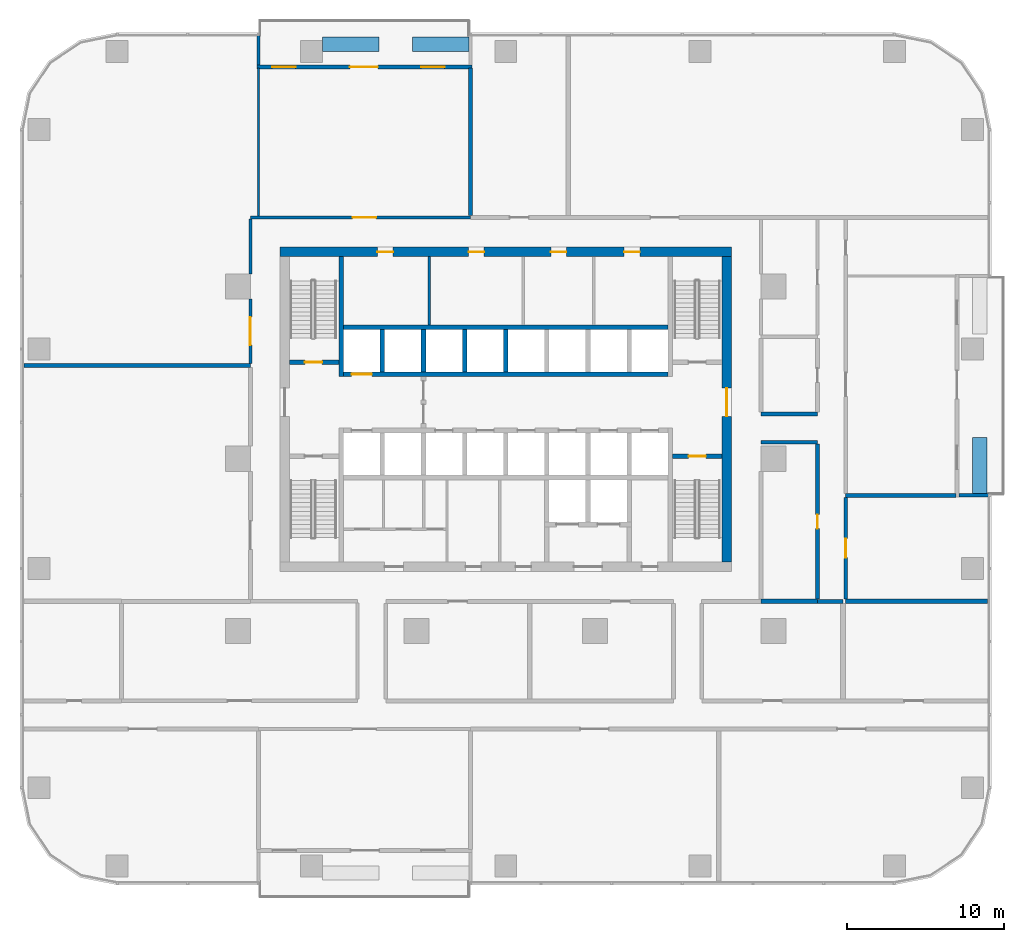
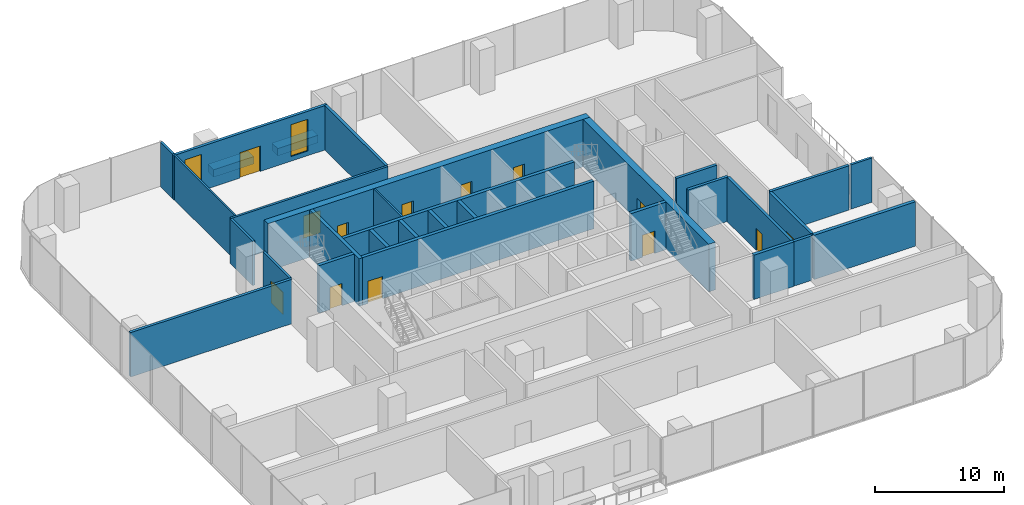
# One storey, part 9 of 15: 32 walls, 13 doors, 2 windows, 15 openings.
"""IFC4 building model written with IfcOpenShell, lengths in metres."""

import ifcopenshell
import ifcopenshell.guid

model = None  # the IFC model being written
_history = None  # IfcOwnerHistory: only IFC2X3 demands one
_inside = {}  # id of a spatial element -> (the spatial element, [elements in it])
_under = {}  # id of a project, library or spatial element -> (it, [spatial elements below it])
_declared = {}  # id of a project -> (the project, [libraries it declares])
_typed = {}  # id of a type object -> (the type object, [elements of that type])
_made_of = {}  # id of a material, layer set ... -> (it, [elements and type objects made of it])


def new_model(schema):
    """Start an empty IFC model of exactly this schema.

    Asked for "IFC4X3", IfcOpenShell would pick the latest addendum, in which some entities
    have other attributes; the version numbers below select the first issue.
    IFC2X3 requires an IfcOwnerHistory on every rooted entity: one is made here for all.
    """
    global model, _history
    if schema == "IFC4X3":
        model = ifcopenshell.file(schema_version=(4, 3, 0, 0))
    else:
        model = ifcopenshell.file(schema=schema)
    _inside.clear()
    _under.clear()
    _declared.clear()
    _typed.clear()
    _made_of.clear()
    _history = None
    if model.schema == "IFC2X3":
        org = make("IfcOrganization", Name="unknown")
        user = make(
            "IfcPersonAndOrganization",
            ThePerson=make("IfcPerson", FamilyName="unknown"),
            TheOrganization=org,
        )
        app = make(
            "IfcApplication",
            ApplicationDeveloper=org,
            Version="unknown",
            ApplicationFullName="unknown",
            ApplicationIdentifier="unknown",
        )
        _history = make(
            "IfcOwnerHistory",
            OwningUser=user,
            OwningApplication=app,
            ChangeAction="ADDED",
            CreationDate=0,
        )
    return model


def make(cls, **values):
    """One entity of the class cls with the attributes given. An attribute that is None is left unset."""
    return model.create_entity(
        cls, **{name: value for name, value in values.items() if value is not None}
    )


def rooted(cls, **values):
    """An entity with a GlobalId (a new one), such as an element, a storey or a relation."""
    return make(cls, GlobalId=ifcopenshell.guid.new(), OwnerHistory=_history, **values)


def si_unit(unit_type, name, prefix=None):
    """IfcSIUnit, for example si_unit("LENGTHUNIT", "METRE", prefix="MILLI")."""
    return make("IfcSIUnit", UnitType=unit_type, Prefix=prefix, Name=name)


def assignment(units):
    """IfcUnitAssignment: the units of a project."""
    return None if units is None else make("IfcUnitAssignment", Units=units)


def point(xyz):
    """IfcCartesianPoint."""
    return None if xyz is None else make("IfcCartesianPoint", Coordinates=xyz)


def direction(xyz):
    """IfcDirection."""
    return None if xyz is None else make("IfcDirection", DirectionRatios=xyz)


def frame(location, z_axis=None, x_axis=None):
    """IfcAxis2Placement3D, a coordinate frame: its origin and axes. An axis left out is left unset."""
    return make(
        "IfcAxis2Placement3D",
        Location=point(location),
        Axis=direction(z_axis),
        RefDirection=direction(x_axis),
    )


def frame_2d(location, x_axis=None):
    """IfcAxis2Placement2D, a coordinate frame in the plane: its origin and x axis."""
    return make(
        "IfcAxis2Placement2D", Location=point(location), RefDirection=direction(x_axis)
    )


def origin():
    """The frame at (0, 0, 0) with its axes left unset."""
    return frame((0.0, 0.0, 0.0))


def place(relative_to, where):
    """IfcLocalPlacement: puts the frame where relative to a parent placement (None: the world)."""
    return make(
        "IfcLocalPlacement", PlacementRelTo=relative_to, RelativePlacement=where
    )


def context(
    kind, dimensions, precision=None, world=None, true_north=None, identifier=None
):
    """IfcGeometricRepresentationContext, for example the 3D "Model" context."""
    return make(
        "IfcGeometricRepresentationContext",
        ContextIdentifier=identifier,
        ContextType=kind,
        CoordinateSpaceDimension=dimensions,
        Precision=precision,
        WorldCoordinateSystem=world,
        TrueNorth=true_north,
    )


def subcontext(parent, identifier, kind, view, scale=None):
    """IfcGeometricRepresentationSubContext, for example "Body" below "Model"."""
    return make(
        "IfcGeometricRepresentationSubContext",
        ContextIdentifier=identifier,
        ContextType=kind,
        ParentContext=parent,
        TargetScale=scale,
        TargetView=view,
    )


def project(units=None, contexts=None):
    """IfcProject with its units and contexts."""
    return rooted(
        "IfcProject",
        Name="project",
        RepresentationContexts=contexts,
        UnitsInContext=assignment(units),
    )


def spatial(cls, under=None, at=None, **own):
    """A site, building, storey or space (cls), placed at a placement, below another one or the project."""
    s = rooted(cls, ObjectPlacement=at, **own)
    if under is not None:
        _under.setdefault(under.id(), (under, []))[1].append(s)
    return s


def profile(cls, at=None, kind="AREA", **sizes):
    """A parametric profile (cls). Its sizes go by their IFC names, for example OverallWidth=200.0."""
    return make(cls, ProfileType=kind, Position=at, **sizes)


def rectangle(**sizes):
    """IfcRectangleProfileDef."""
    return profile("IfcRectangleProfileDef", **sizes)


def extrude(swept, where, along, depth):
    """IfcExtrudedAreaSolid: the profile swept, set in the frame where, extruded along a direction by depth."""
    return make(
        "IfcExtrudedAreaSolid",
        SweptArea=swept,
        Position=where,
        ExtrudedDirection=direction(along),
        Depth=depth,
    )


def shape(context_of_items, identifier, shape_type, items):
    """IfcShapeRepresentation: the items that make up one representation, for example the "Body"."""
    return make(
        "IfcShapeRepresentation",
        ContextOfItems=context_of_items,
        RepresentationIdentifier=identifier,
        RepresentationType=shape_type,
        Items=items,
    )


def material(Name=None, Category=None):
    """IfcMaterial."""
    return make("IfcMaterial", Name=Name, Category=Category)


def layer(
    of_material, thickness, ventilated=None, Name=None, Category=None, Priority=None
):
    """IfcMaterialLayer: one layer of a wall or slab, of a material (None: an air gap)."""
    return make(
        "IfcMaterialLayer",
        Material=of_material,
        LayerThickness=thickness,
        IsVentilated=ventilated,
        Name=Name,
        Category=Category,
        Priority=Priority,
    )


def layer_set(layers, Name=None):
    """IfcMaterialLayerSet."""
    return make("IfcMaterialLayerSet", MaterialLayers=layers, LayerSetName=Name)


def made_of(thing, what):
    """Note that an element or type object is made of a material, layer set ...; save() writes the relation."""
    if what is not None:
        _made_of.setdefault(what.id(), (what, []))[1].append(thing)
    return thing


def type_object(cls, material=None, **own):
    """A type object (cls), such as IfcWallType, which elements share."""
    return made_of(rooted(cls, **own), material)


def element(
    cls,
    number,
    at=None,
    inside=None,
    cuts=None,
    type_object=None,
    material=None,
    context=None,
    identifier="Body",
    shape_type=None,
    held_by="IfcProductDefinitionShape",
    body=None,
    shapes=None,
    **own,
):
    """One element of the class cls, such as IfcWall. Its Tag is "e" and its number.

    at: its placement. inside: the storey or other place that contains it. cuts: it is an
    opening in that element (IfcRelVoidsElement). A single representation is given by context,
    identifier, shape_type and body (its items); several are given by shapes. held_by: the class
    of the entity that holds the representations. save() writes the other relations.
    """
    e = rooted(cls, Tag="e%d" % number, ObjectPlacement=at, **own)
    if body is not None:
        shapes = [shape(context, identifier, shape_type, body)]
    if shapes is not None:
        e.Representation = make(held_by, Representations=shapes)
    if inside is not None:
        _inside.setdefault(inside.id(), (inside, []))[1].append(e)
    if cuts is not None:
        rooted(
            "IfcRelVoidsElement", RelatingBuildingElement=cuts, RelatedOpeningElement=e
        )
    if type_object is not None:
        _typed.setdefault(type_object.id(), (type_object, []))[1].append(e)
    return made_of(e, material)


def fill(opening, filler):
    """IfcRelFillsElement: the door or window that sits in an opening."""
    return rooted(
        "IfcRelFillsElement",
        RelatingOpeningElement=opening,
        RelatedBuildingElement=filler,
    )


def aggregate(whole, parts):
    """IfcRelAggregates: a whole, such as a stair, and the parts it consists of."""
    return rooted("IfcRelAggregates", RelatingObject=whole, RelatedObjects=parts)


def save(model, path):
    """Write the relations noted so far, then the file.

    IfcRelAggregates (storeys below a building ...), IfcRelContainedInSpatialStructure (elements
    in a storey), IfcRelDefinesByType, IfcRelAssociatesMaterial and IfcRelDeclares: one each for
    every whole, place, type object, material and project.
    """
    for whole, parts in _under.values():
        aggregate(whole, parts)
    for where, things in _inside.values():
        rooted(
            "IfcRelContainedInSpatialStructure",
            RelatedElements=things,
            RelatingStructure=where,
        )
    for kind, things in _typed.values():
        rooted("IfcRelDefinesByType", RelatedObjects=things, RelatingType=kind)
    for what, things in _made_of.values():
        rooted("IfcRelAssociatesMaterial", RelatedObjects=things, RelatingMaterial=what)
    for by, libraries in _declared.values():
        rooted("IfcRelDeclares", RelatingContext=by, RelatedDefinitions=libraries)
    model.write(path)


model = new_model("IFC4")

# Units and contexts
model_context = context("Model", 3, precision=1e-05, world=origin(), true_north=direction((0.0, 1.0)))
body_context = subcontext(model_context, "Body", "Model", "MODEL_VIEW")
ifc_project = project(units=[si_unit("LENGTHUNIT", "METRE"), si_unit("AREAUNIT", "SQUARE_METRE"), si_unit("VOLUMEUNIT", "CUBIC_METRE"), si_unit("PLANEANGLEUNIT", "RADIAN"), si_unit("MASSUNIT", "GRAM", prefix="KILO")], contexts=[model_context])

# Site, building, storey
site_placement = place(None, origin())
site = spatial("IfcSite", under=ifc_project, at=site_placement, CompositionType="ELEMENT")
building_placement = place(site_placement, origin())
building = spatial("IfcBuilding", under=site, at=building_placement, Name="Mopane Tessera Tower", CompositionType="ELEMENT")
storey_placement = place(building_placement, frame((0.0, 0.0, 83.800048828125)))
storey = spatial("IfcBuildingStorey", under=building, at=storey_placement, Name="L16", CompositionType="ELEMENT", Elevation=83.800048828125)

# Wall
ifc_material_1 = material(Name="Fire-rated gypsum board partition")
ifc_layer_1 = layer(ifc_material_1, 0.14990234375)
ifc_layer_set_1 = layer_set([ifc_layer_1], Name="Fire-rated gypsum board partition")
wall_type_1 = type_object("IfcWallType", Name="Core room partition 150 mm", PredefinedType="PARTITIONING", material=ifc_layer_set_1)
wall_1_placement = place(storey_placement, frame((-4.875, 8.550048828125, 0.0), z_axis=(0.0, 0.0, 1.0), x_axis=(0.0, 1.0, 0.0)))
element("IfcWall", 1, at=wall_1_placement, inside=storey, type_object=wall_type_1, Name="L16 Room partition", PredefinedType="PARTITIONING", context=body_context, shape_type="SweptSolid", body=[
    extrude(rectangle(XDim=4.349853515625, YDim=0.14990234375, at=frame_2d((2.1748046875, 0.0))), origin(), (0.0, 0.0, 1.0), 4.5),
])

# Wall, openings, doors
ifc_material_2 = material(Name="Concrete C70/85", Category="concrete")
ifc_layer_2 = layer(ifc_material_2, 0.60009765625)
ifc_layer_set_2 = layer_set([ifc_layer_2], Name="Concrete C70/85")
wall_type_2 = type_object("IfcWallType", Name="Core shear wall 600 mm", PredefinedType="SHEAR", material=ifc_layer_set_2)
wall_2_placement = place(storey_placement, frame((-14.39990234375, 13.199951171875, 0.0), z_axis=(0.0, 0.0, 1.0), x_axis=(1.0, 0.0, 0.0)))
wall_2 = element("IfcWall", 2, at=wall_2_placement, inside=storey, type_object=wall_type_2, Name="L16 Core wall north", PredefinedType="SHEAR", context=body_context, shape_type="SweptSolid", body=[
    extrude(rectangle(XDim=28.7998046875, YDim=0.60009765625, at=frame_2d((14.39990234375, 0.0))), origin(), (0.0, 0.0, 1.0), 4.5),
])
opening_1_placement = place(wall_2_placement, frame((6.21240234375, 0.0, 0.0)))
opening_1 = element("IfcOpeningElement", 3, at=opening_1_placement, cuts=wall_2, Name="Opening RD1", PredefinedType="OPENING", context=body_context, shape_type="SweptSolid", body=[
    extrude(rectangle(XDim=1.0, YDim=2.10009765625, at=frame_2d((0.5, 1.050048828125))), frame((0.0, 0.31201171875, 0.0), z_axis=(0.0, -1.0, 0.0), x_axis=(1.0, 0.0, 0.0)), (0.0, 0.0, 1.0), 0.6240234375),
])
opening_2_placement = place(wall_2_placement, frame((12.02490234375, 0.0, 0.0)))
opening_2 = element("IfcOpeningElement", 4, at=opening_2_placement, cuts=wall_2, Name="Opening RD1", PredefinedType="OPENING", context=body_context, shape_type="SweptSolid", body=[
    extrude(rectangle(XDim=1.0, YDim=2.10009765625, at=frame_2d((0.5, 1.050048828125))), frame((0.0, 0.31201171875, 0.0), z_axis=(0.0, -1.0, 0.0), x_axis=(1.0, 0.0, 0.0)), (0.0, 0.0, 1.0), 0.6240234375),
])
opening_3_placement = place(wall_2_placement, frame((17.27490234375, 0.0, 0.0)))
opening_3 = element("IfcOpeningElement", 5, at=opening_3_placement, cuts=wall_2, Name="Opening RD1", PredefinedType="OPENING", context=body_context, shape_type="SweptSolid", body=[
    extrude(rectangle(XDim=1.0, YDim=2.10009765625, at=frame_2d((0.5, 1.050048828125))), frame((0.0, 0.31201171875, 0.0), z_axis=(0.0, -1.0, 0.0), x_axis=(1.0, 0.0, 0.0)), (0.0, 0.0, 1.0), 0.6240234375),
])
opening_4_placement = place(wall_2_placement, frame((21.96240234375, 0.0, 0.0)))
opening_4 = element("IfcOpeningElement", 6, at=opening_4_placement, cuts=wall_2, Name="Opening RD1", PredefinedType="OPENING", context=body_context, shape_type="SweptSolid", body=[
    extrude(rectangle(XDim=1.0, YDim=2.10009765625, at=frame_2d((0.5, 1.050048828125))), frame((0.0, 0.31201171875, 0.0), z_axis=(0.0, -1.0, 0.0), x_axis=(1.0, 0.0, 0.0)), (0.0, 0.0, 1.0), 0.6240234375),
])
ifc_material_3 = material(Name="Timber door", Category="wood")
door_type_1 = type_object("IfcDoorType", Name="Core room door 1000 x 2100", OperationType="SINGLE_SWING_LEFT", PredefinedType="DOOR", material=ifc_material_3)
door_1_placement = place(opening_1_placement, origin())
door_1 = element("IfcDoor", 7, at=door_1_placement, inside=storey, type_object=door_type_1, Name="L16 Room door", OperationType="SINGLE_SWING_LEFT", OverallHeight=2.10009765625, OverallWidth=1.0, PredefinedType="DOOR", context=body_context, shape_type="SweptSolid", body=[
    extrude(rectangle(XDim=1.0, YDim=2.10009765625, at=frame_2d((0.5, 1.050048828125))), frame((0.0, 0.02490234375, 0.0), z_axis=(0.0, -1.0, 0.0), x_axis=(1.0, 0.0, 0.0)), (0.0, 0.0, 1.0), 0.050048828125),
])
fill(opening_1, door_1)
door_2_placement = place(opening_2_placement, origin())
door_2 = element("IfcDoor", 8, at=door_2_placement, inside=storey, type_object=door_type_1, Name="L16 Room door", OperationType="SINGLE_SWING_LEFT", OverallHeight=2.10009765625, OverallWidth=1.0, PredefinedType="DOOR", context=body_context, shape_type="SweptSolid", body=[
    extrude(rectangle(XDim=1.0, YDim=2.10009765625, at=frame_2d((0.5, 1.050048828125))), frame((0.0, 0.02490234375, 0.0), z_axis=(0.0, -1.0, 0.0), x_axis=(1.0, 0.0, 0.0)), (0.0, 0.0, 1.0), 0.050048828125),
])
fill(opening_2, door_2)
door_3_placement = place(opening_3_placement, origin())
door_3 = element("IfcDoor", 9, at=door_3_placement, inside=storey, type_object=door_type_1, Name="L16 Room door", OperationType="SINGLE_SWING_LEFT", OverallHeight=2.10009765625, OverallWidth=1.0, PredefinedType="DOOR", context=body_context, shape_type="SweptSolid", body=[
    extrude(rectangle(XDim=1.0, YDim=2.10009765625, at=frame_2d((0.5, 1.050048828125))), frame((0.0, 0.02490234375, 0.0), z_axis=(0.0, -1.0, 0.0), x_axis=(1.0, 0.0, 0.0)), (0.0, 0.0, 1.0), 0.050048828125),
])
fill(opening_3, door_3)
door_4_placement = place(opening_4_placement, origin())
door_4 = element("IfcDoor", 10, at=door_4_placement, inside=storey, type_object=door_type_1, Name="L16 Room door", OperationType="SINGLE_SWING_LEFT", OverallHeight=2.10009765625, OverallWidth=1.0, PredefinedType="DOOR", context=body_context, shape_type="SweptSolid", body=[
    extrude(rectangle(XDim=1.0, YDim=2.10009765625, at=frame_2d((0.5, 1.050048828125))), frame((0.0, 0.02490234375, 0.0), z_axis=(0.0, -1.0, 0.0), x_axis=(1.0, 0.0, 0.0)), (0.0, 0.0, 1.0), 0.050048828125),
])
fill(opening_4, door_4)

# Wall, opening, door
wall_3_placement = place(storey_placement, frame((14.10009765625, -6.60009765625, 0.0), z_axis=(0.0, 0.0, 1.0), x_axis=(0.0, 1.0, 0.0)))
wall_3 = element("IfcWall", 11, at=wall_3_placement, inside=storey, type_object=wall_type_2, Name="L16 Core wall east", PredefinedType="SHEAR", context=body_context, shape_type="SweptSolid", body=[
    extrude(rectangle(XDim=19.5, YDim=0.60009765625, at=frame_2d((9.75, 0.0))), origin(), (0.0, 0.0, 1.0), 4.5),
])
opening_5_placement = place(wall_3_placement, frame((9.300048828125, 0.0, 0.0)))
opening_5 = element("IfcOpeningElement", 12, at=opening_5_placement, cuts=wall_3, Name="Opening SD2", PredefinedType="OPENING", context=body_context, shape_type="SweptSolid", body=[
    extrude(rectangle(XDim=1.800048828125, YDim=2.10009765625, at=frame_2d((0.89990234375, 1.050048828125))), frame((0.0, 0.31201171875, 0.0), z_axis=(0.0, -1.0, 0.0), x_axis=(1.0, 0.0, 0.0)), (0.0, 0.0, 1.0), 0.6240234375),
])
ifc_material_4 = material(Name="Steel fire door", Category="steel")
door_type_2 = type_object("IfcDoorType", Name="Core entrance double door 1800 x 2100", OperationType="DOUBLE_DOOR_SINGLE_SWING", PredefinedType="DOOR", material=ifc_material_4)
door_5_placement = place(opening_5_placement, origin())
door_5 = element("IfcDoor", 13, at=door_5_placement, inside=storey, type_object=door_type_2, Name="L16 Core entrance door east", OperationType="DOUBLE_DOOR_SINGLE_SWING", OverallHeight=2.10009765625, OverallWidth=1.800048828125, PredefinedType="DOOR", context=body_context, shape_type="SweptSolid", body=[
    extrude(rectangle(XDim=1.800048828125, YDim=2.10009765625, at=frame_2d((0.89990234375, 1.050048828125))), frame((0.0, 0.02490234375, 0.0), z_axis=(0.0, -1.0, 0.0), x_axis=(1.0, 0.0, 0.0)), (0.0, 0.0, 1.0), 0.050048828125),
])
fill(opening_5, door_5)

# Wall
ifc_material_5 = material(Name="Concrete C60/75", Category="concrete")
ifc_layer_3 = layer(ifc_material_5, 0.300048828125)
ifc_layer_set_3 = layer_set([ifc_layer_3], Name="Concrete C60/75")
wall_type_3 = type_object("IfcWallType", Name="Core spine wall 300 mm", PredefinedType="SHEAR", material=ifc_layer_set_3)
wall_4_placement = place(storey_placement, frame((-10.5, 5.25, 0.0), z_axis=(0.0, 0.0, 1.0), x_axis=(0.0, 1.0, 0.0)))
element("IfcWall", 14, at=wall_4_placement, inside=storey, type_object=wall_type_3, Name="L16 Core spine wall", PredefinedType="SHEAR", context=body_context, shape_type="SweptSolid", body=[
    extrude(rectangle(XDim=7.64990234375, YDim=0.300048828125, at=frame_2d((3.824951171875, 0.0))), origin(), (0.0, 0.0, 1.0), 4.5),
])

# Wall, opening, door
ifc_material_6 = material(Name="Gypsum board on steel studs, two layers each face, mineral wool infill", Category="steel")
ifc_layer_4 = layer(ifc_material_6, 0.199951171875)
ifc_layer_set_4 = layer_set([ifc_layer_4], Name="Gypsum board on steel studs, two layers each face, mineral wool infill")
wall_type_4 = type_object("IfcWallType", Name="Gypsum board corridor wall 200, rated EI 60", PredefinedType="PARTITIONING", material=ifc_layer_set_4)
wall_5_placement = place(storey_placement, frame((-16.300048828125, 15.39990234375, 0.0), z_axis=(0.0, 0.0, 1.0), x_axis=(1.0, 0.0, 0.0)))
wall_5 = element("IfcWall", 15, at=wall_5_placement, inside=storey, type_object=wall_type_4, Name="Partition L16:021", PredefinedType="PARTITIONING", context=body_context, shape_type="SweptSolid", body=[
    extrude(rectangle(XDim=14.045166015625, YDim=0.199951171875, at=frame_2d((7.0224609375, 0.0))), origin(), (0.0, 0.0, 1.0), 4.199951171875),
])
opening_6_placement = place(wall_5_placement, frame((6.532470703125, 0.0, 0.0)))
opening_6 = element("IfcOpeningElement", 16, at=opening_6_placement, cuts=wall_5, Name="Opening L16-19", PredefinedType="OPENING", context=body_context, shape_type="SweptSolid", body=[
    extrude(rectangle(XDim=1.5, YDim=2.10009765625, at=frame_2d((0.75, 1.050048828125))), frame((0.0, 0.112060546875, 0.0), z_axis=(0.0, -1.0, 0.0), x_axis=(1.0, 0.0, 0.0)), (0.0, 0.0, 1.0), 0.223876953125),
])
ifc_material_7 = material(Name="Timber veneered steel-framed fire door", Category="steel")
door_type_3 = type_object("IfcDoorType", Name="Fire door pair FD60 1500 x 2100", OperationType="DOUBLE_DOOR_SINGLE_SWING", PredefinedType="DOOR", material=ifc_material_7)
door_6_placement = place(opening_6_placement, origin())
door_6 = element("IfcDoor", 17, at=door_6_placement, inside=storey, type_object=door_type_3, Name="Door L16-19", ObjectType="D17A", OperationType="DOUBLE_DOOR_SINGLE_SWING", OverallHeight=2.10009765625, OverallWidth=1.5, PredefinedType="DOOR", context=body_context, shape_type="SweptSolid", body=[
    extrude(rectangle(XDim=1.5, YDim=2.10009765625, at=frame_2d((0.75, 1.050048828125))), frame((0.0, 0.02490234375, 0.0), z_axis=(0.0, -1.0, 0.0), x_axis=(1.0, 0.0, 0.0)), (0.0, 0.0, 1.0), 0.050048828125),
])
fill(opening_6, door_6)

wall_6_placement = place(storey_placement, frame((-16.300048828125, 6.0849609375, 0.0), z_axis=(0.0, 0.0, 1.0), x_axis=(0.0, 1.0, 0.0)))
wall_6 = element("IfcWall", 18, at=wall_6_placement, inside=storey, type_object=wall_type_4, Name="Partition L16:024", PredefinedType="PARTITIONING", context=body_context, shape_type="SweptSolid", body=[
    extrude(rectangle(XDim=4.114990234375, YDim=0.199951171875, at=frame_2d((2.0576171875, 0.0))), origin(), (0.0, 0.0, 1.0), 4.199951171875),
])
opening_7_placement = place(wall_6_placement, frame((1.157470703125, 0.0, 0.0)))
opening_7 = element("IfcOpeningElement", 19, at=opening_7_placement, cuts=wall_6, Name="Opening L16-03", PredefinedType="OPENING", context=body_context, shape_type="SweptSolid", body=[
    extrude(rectangle(XDim=1.800048828125, YDim=2.10009765625, at=frame_2d((0.89990234375, 1.050048828125))), frame((0.0, 0.112060546875, 0.0), z_axis=(0.0, -1.0, 0.0), x_axis=(1.0, 0.0, 0.0)), (0.0, 0.0, 1.0), 0.223876953125),
])
ifc_material_8 = material(Name="Timber veneered steel-framed fire door", Category="steel")
door_type_4 = type_object("IfcDoorType", Name="Fire door pair FD60 1800 x 2100", OperationType="DOUBLE_DOOR_SINGLE_SWING", PredefinedType="DOOR", material=ifc_material_8)
door_7_placement = place(opening_7_placement, origin())
door_7 = element("IfcDoor", 20, at=door_7_placement, inside=storey, type_object=door_type_4, Name="Door L16-03", ObjectType="D20A", OperationType="DOUBLE_DOOR_SINGLE_SWING", OverallHeight=2.10009765625, OverallWidth=1.800048828125, PredefinedType="DOOR", context=body_context, shape_type="SweptSolid", body=[
    extrude(rectangle(XDim=1.800048828125, YDim=2.10009765625, at=frame_2d((0.89990234375, 1.050048828125))), frame((0.0, 0.02490234375, 0.0), z_axis=(0.0, -1.0, 0.0), x_axis=(1.0, 0.0, 0.0)), (0.0, 0.0, 1.0), 0.050048828125),
])
fill(opening_7, door_7)

# Walls
wall_7_placement = place(storey_placement, frame((-16.300048828125, 11.800048828125, 0.0), z_axis=(0.0, 0.0, 1.0), x_axis=(0.0, 1.0, 0.0)))
element("IfcWall", 21, at=wall_7_placement, inside=storey, type_object=wall_type_4, Name="Partition L16:025", PredefinedType="PARTITIONING", context=body_context, shape_type="SweptSolid", body=[
    extrude(rectangle(XDim=3.5, YDim=0.199951171875, at=frame_2d((1.75, 0.0))), origin(), (0.0, 0.0, 1.0), 4.199951171875),
])
ifc_material_9 = material(Name="Gypsum board on steel studs, mineral wool infill", Category="steel")
ifc_layer_5 = layer(ifc_material_9, 0.14990234375)
ifc_layer_set_5 = layer_set([ifc_layer_5], Name="Gypsum board on steel studs, mineral wool infill")
wall_type_5 = type_object("IfcWallType", Name="Gypsum board partition 150, rated EI 60", PredefinedType="PARTITIONING", material=ifc_layer_set_5)
wall_8_placement = place(storey_placement, frame((-15.780029296875, 15.5, 0.0), z_axis=(0.0, 0.0, 1.0), x_axis=(0.0, 1.0, 0.0)))
element("IfcWall", 22, at=wall_8_placement, inside=storey, type_object=wall_type_5, Name="Partition L16:028", PredefinedType="PARTITIONING", context=body_context, shape_type="SweptSolid", body=[
    extrude(rectangle(XDim=9.449951171875, YDim=0.14990234375, at=frame_2d((4.72509765625, 0.0))), origin(), (0.0, 0.0, 1.0), 4.199951171875),
])

# Wall, opening, door
ifc_material_10 = material(Name="Concrete C50/60", Category="concrete")
ifc_layer_6 = layer(ifc_material_10, 0.300048828125)
ifc_layer_set_6 = layer_set([ifc_layer_6], Name="Concrete C50/60")
wall_type_6 = type_object("IfcWallType", Name="Lift and stair shaft wall 300 mm", PredefinedType="SOLIDWALL", material=ifc_layer_set_6)
wall_9_placement = place(storey_placement, frame((-13.800048828125, 6.14990234375, 0.0), z_axis=(0.0, 0.0, 1.0), x_axis=(1.0, 0.0, 0.0)))
wall_9 = element("IfcWall", 23, at=wall_9_placement, inside=storey, type_object=wall_type_6, Name="L16 Stair enclosure wall", PredefinedType="SOLIDWALL", context=body_context, shape_type="SweptSolid", body=[
    extrude(rectangle(XDim=3.150146484375, YDim=0.300048828125, at=frame_2d((1.5751953125, 0.0))), origin(), (0.0, 0.0, 1.0), 4.5),
])
opening_8_placement = place(wall_9_placement, frame((0.97509765625, 0.0, 0.0)))
opening_8 = element("IfcOpeningElement", 24, at=opening_8_placement, cuts=wall_9, Name="Opening SD1", PredefinedType="OPENING", context=body_context, shape_type="SweptSolid", body=[
    extrude(rectangle(XDim=1.10009765625, YDim=2.10009765625, at=frame_2d((0.550048828125, 1.050048828125))), frame((0.0, 0.162109375, 0.0), z_axis=(0.0, -1.0, 0.0), x_axis=(1.0, 0.0, 0.0)), (0.0, 0.0, 1.0), 0.323974609375),
])
ifc_material_11 = material(Name="Steel fire door", Category="steel")
door_type_5 = type_object("IfcDoorType", Name="Stair fire door 1100 x 2100", OperationType="SINGLE_SWING_LEFT", PredefinedType="DOOR", material=ifc_material_11)
door_8_placement = place(opening_8_placement, origin())
door_8 = element("IfcDoor", 25, at=door_8_placement, inside=storey, type_object=door_type_5, Name="L16 Stair door ST2", OperationType="SINGLE_SWING_LEFT", OverallHeight=2.10009765625, OverallWidth=1.10009765625, PredefinedType="DOOR", context=body_context, shape_type="SweptSolid", body=[
    extrude(rectangle(XDim=1.10009765625, YDim=2.10009765625, at=frame_2d((0.550048828125, 1.050048828125))), frame((0.0, 0.02490234375, 0.0), z_axis=(0.0, -1.0, 0.0), x_axis=(1.0, 0.0, 0.0)), (0.0, 0.0, 1.0), 0.050048828125),
])
fill(opening_8, door_8)

wall_10_placement = place(storey_placement, frame((10.64990234375, 0.14990234375, 0.0), z_axis=(0.0, 0.0, 1.0), x_axis=(1.0, 0.0, 0.0)))
wall_10 = element("IfcWall", 26, at=wall_10_placement, inside=storey, type_object=wall_type_6, Name="L16 Stair enclosure wall", PredefinedType="SOLIDWALL", context=body_context, shape_type="SweptSolid", body=[
    extrude(rectangle(XDim=3.150146484375, YDim=0.300048828125, at=frame_2d((1.5751953125, 0.0))), origin(), (0.0, 0.0, 1.0), 4.5),
])
opening_9_placement = place(wall_10_placement, frame((1.02490234375, 0.0, 0.0)))
opening_9 = element("IfcOpeningElement", 27, at=opening_9_placement, cuts=wall_10, Name="Opening SD1", PredefinedType="OPENING", context=body_context, shape_type="SweptSolid", body=[
    extrude(rectangle(XDim=1.10009765625, YDim=2.10009765625, at=frame_2d((0.550048828125, 1.050048828125))), frame((0.0, 0.162109375, 0.0), z_axis=(0.0, -1.0, 0.0), x_axis=(1.0, 0.0, 0.0)), (0.0, 0.0, 1.0), 0.323974609375),
])
door_9_placement = place(opening_9_placement, origin())
door_9 = element("IfcDoor", 28, at=door_9_placement, inside=storey, type_object=door_type_5, Name="L16 Stair door ST3", OperationType="SINGLE_SWING_RIGHT", OverallHeight=2.10009765625, OverallWidth=1.10009765625, PredefinedType="DOOR", context=body_context, shape_type="SweptSolid", body=[
    extrude(rectangle(XDim=1.10009765625, YDim=2.10009765625, at=frame_2d((0.550048828125, 1.050048828125))), frame((0.0, 0.02490234375, 0.0), z_axis=(0.0, -1.0, 0.0), x_axis=(1.0, 0.0, 0.0)), (0.0, 0.0, 1.0), 0.050048828125),
])
fill(opening_9, door_9)

wall_11_placement = place(storey_placement, frame((-10.35009765625, 5.39990234375, 0.0), z_axis=(0.0, 0.0, 1.0), x_axis=(1.0, 0.0, 0.0)))
wall_11 = element("IfcWall", 29, at=wall_11_placement, inside=storey, type_object=wall_type_6, Name="L16 Lift shaft front wall", PredefinedType="SOLIDWALL", context=body_context, shape_type="SweptSolid", body=[
    extrude(rectangle(XDim=20.7001953125, YDim=0.300048828125, at=frame_2d((10.35009765625, 0.0))), origin(), (0.0, 0.0, 1.0), 4.5),
])
opening_10_placement = place(wall_11_placement, frame((0.512451171875, 0.0, 0.0)))
opening_10 = element("IfcOpeningElement", 30, at=opening_10_placement, cuts=wall_11, Name="Opening LD2", PredefinedType="OPENING", context=body_context, shape_type="SweptSolid", body=[
    extrude(rectangle(XDim=1.300048828125, YDim=2.10009765625, at=frame_2d((0.64990234375, 1.050048828125))), frame((0.0, 0.162109375, 0.0), z_axis=(0.0, -1.0, 0.0), x_axis=(1.0, 0.0, 0.0)), (0.0, 0.0, 1.0), 0.323974609375),
])
ifc_material_12 = material(Name="Stainless steel sliding door", Category="steel")
door_type_6 = type_object("IfcDoorType", Name="Fire-fighting lift landing door 1300 x 2100", OperationType="DOUBLE_DOOR_SLIDING", PredefinedType="DOOR", material=ifc_material_12)
door_10_placement = place(opening_10_placement, origin())
door_10 = element("IfcDoor", 31, at=door_10_placement, inside=storey, type_object=door_type_6, Name="L16 Lift landing door FF2", OperationType="DOUBLE_DOOR_SLIDING", OverallHeight=2.10009765625, OverallWidth=1.300048828125, PredefinedType="DOOR", context=body_context, shape_type="SweptSolid", body=[
    extrude(rectangle(XDim=1.300048828125, YDim=2.10009765625, at=frame_2d((0.64990234375, 1.050048828125))), frame((0.0, 0.02490234375, 0.0), z_axis=(0.0, -1.0, 0.0), x_axis=(1.0, 0.0, 0.0)), (0.0, 0.0, 1.0), 0.050048828125),
])
fill(opening_10, door_10)

# Walls
wall_12_placement = place(storey_placement, frame((-10.35009765625, 8.39990234375, 0.0), z_axis=(0.0, 0.0, 1.0), x_axis=(1.0, 0.0, 0.0)))
element("IfcWall", 32, at=wall_12_placement, inside=storey, type_object=wall_type_6, Name="L16 Lift shaft rear wall", PredefinedType="SOLIDWALL", context=body_context, shape_type="SweptSolid", body=[
    extrude(rectangle(XDim=20.7001953125, YDim=0.300048828125, at=frame_2d((10.35009765625, 0.0))), origin(), (0.0, 0.0, 1.0), 4.5),
])
for number, where, z_axis, x_axis, name in (
    (33, (-7.875, 5.550048828125, 0.0), (0.0, 0.0, 1.0), (0.0, 1.0, 0.0), "L16 Lift shaft wall"),
    (34, (-5.25, 5.550048828125, 0.0), (0.0, 0.0, 1.0), (0.0, 1.0, 0.0), "L16 Lift shaft wall"),
    (35, (-2.625, 5.550048828125, 0.0), (0.0, 0.0, 1.0), (0.0, 1.0, 0.0), "L16 Lift shaft wall"),
    (36, (0.0, 5.550048828125, 0.0), (0.0, 0.0, 1.0), (0.0, 1.0, 0.0), "L16 Lift shaft wall"),
):
    element("IfcWall", number, at=place(storey_placement, frame(where, z_axis=z_axis, x_axis=x_axis)), inside=storey, type_object=wall_type_6, Name=name, PredefinedType="SOLIDWALL", context=body_context, shape_type="SweptSolid", body=[
        extrude(rectangle(XDim=2.699951171875, YDim=0.300048828125, at=frame_2d((1.35009765625, 0.0))), origin(), (0.0, 0.0, 1.0), 4.5),
    ])
ifc_material_13 = material(Name="Reinforced concrete C32/40 with waterproofing", Category="concrete")
ifc_layer_7 = layer(ifc_material_13, 0.89990234375)
ifc_layer_set_7 = layer_set([ifc_layer_7], Name="Reinforced concrete C32/40 with waterproofing")
wall_type_7 = type_object("IfcWallType", Name="Planter trough 3600 x 900", PredefinedType="STANDARD", material=ifc_layer_set_7)
for number, where, z_axis, x_axis, name in (
    (37, (30.25, -2.2333984375, 0.0), (0.0, 0.0, 1.0), (0.0, 1.0, 0.0), "e:nw:L16:N1:pl0"),
    (38, (-2.3544921875, 26.449951171875, 0.0), (0.0, 0.0, 1.0), (-1.0, 0.0, 0.0), "e:nw:L16:N2:pl0"),
    (39, (-8.079833984375, 26.449951171875, 0.0), (0.0, 0.0, 1.0), (-1.0, 0.0, 0.0), "e:nw:L16:N2:pl1"),
):
    element("IfcWall", number, at=place(storey_placement, frame(where, z_axis=z_axis, x_axis=x_axis)), inside=storey, type_object=wall_type_7, Name=name, PredefinedType="STANDARD", context=body_context, shape_type="SweptSolid", body=[
        extrude(rectangle(XDim=3.60009765625, YDim=0.89990234375, at=frame_2d((1.800048828125, 0.0))), origin(), (0.0, 0.0, 1.0), 0.699951171875),
    ])
ifc_material_14 = material(Name="Plastered concrete blockwork C20/25", Category="masonry")
ifc_layer_8 = layer(ifc_material_14, 0.300048828125)
ifc_layer_set_8 = layer_set([ifc_layer_8], Name="Plastered concrete blockwork C20/25")
wall_type_8 = type_object("IfcWallType", Name="Plastered blockwork separation wall 300, rated EI 120", PredefinedType="PARTITIONING", material=ifc_layer_set_8)
wall_13_placement = place(storey_placement, frame((16.300048828125, -9.10009765625, 0.0), z_axis=(0.0, 0.0, 1.0), x_axis=(1.0, 0.0, 0.0)))
element("IfcWall", 40, at=wall_13_placement, inside=storey, type_object=wall_type_8, Name="Partition L16:013", PredefinedType="PARTITIONING", context=body_context, shape_type="SweptSolid", body=[
    extrude(rectangle(XDim=3.599853515625, YDim=0.300048828125, at=frame_2d((1.7998046875, 0.0))), origin(), (0.0, 0.0, 1.0), 4.199951171875),
])
wall_14_placement = place(storey_placement, frame((21.699951171875, -9.10009765625, 0.0), z_axis=(0.0, 0.0, 1.0), x_axis=(1.0, 0.0, 0.0)))
element("IfcWall", 41, at=wall_14_placement, inside=storey, type_object=wall_type_8, Name="Partition L16:014", PredefinedType="PARTITIONING", context=body_context, shape_type="SweptSolid", body=[
    extrude(rectangle(XDim=9.050048828125, YDim=0.300048828125, at=frame_2d((4.52490234375, 0.0))), origin(), (0.0, 0.0, 1.0), 4.199951171875),
])
ifc_material_15 = material(Name="Plastered concrete blockwork C20/25", Category="masonry")
ifc_layer_9 = layer(ifc_material_15, 0.25)
ifc_layer_set_9 = layer_set([ifc_layer_9], Name="Plastered concrete blockwork C20/25")
wall_type_9 = type_object("IfcWallType", Name="Plastered blockwork wall 250, rated EI 120", PredefinedType="PARTITIONING", material=ifc_layer_set_9)
wall_15_placement = place(storey_placement, frame((19.89990234375, -9.10009765625, 0.0), z_axis=(0.0, 0.0, 1.0), x_axis=(1.0, 0.0, 0.0)))
element("IfcWall", 42, at=wall_15_placement, inside=storey, type_object=wall_type_9, Name="Partition L16:011", PredefinedType="PARTITIONING", context=body_context, shape_type="SweptSolid", body=[
    extrude(rectangle(XDim=1.630126953125, YDim=0.25, at=frame_2d((0.81494140625, 0.0))), origin(), (0.0, 0.0, 1.0), 4.199951171875),
])
wall_16_placement = place(storey_placement, frame((21.699951171875, -2.3349609375, 0.0), z_axis=(0.0, 0.0, 1.0), x_axis=(1.0, 0.0, 0.0)))
element("IfcWall", 43, at=wall_16_placement, inside=storey, type_object=wall_type_9, Name="Partition L16:015", PredefinedType="PARTITIONING", context=body_context, shape_type="SweptSolid", body=[
    extrude(rectangle(XDim=7.050048828125, YDim=0.25, at=frame_2d((3.52490234375, 0.0))), origin(), (0.0, 0.0, 1.0), 4.199951171875),
])
for number, where, z_axis, x_axis, name in (
    (44, (16.300048828125, 1.050048828125, 0.0), (0.0, 0.0, 1.0), (1.0, 0.0, 0.0), "Partition L16:016"),
    (45, (16.300048828125, 2.85009765625, 0.0), (0.0, 0.0, 1.0), (1.0, 0.0, 0.0), "Partition L16:017"),
):
    element("IfcWall", number, at=place(storey_placement, frame(where, z_axis=z_axis, x_axis=x_axis)), inside=storey, type_object=wall_type_9, Name=name, PredefinedType="PARTITIONING", context=body_context, shape_type="SweptSolid", body=[
        extrude(rectangle(XDim=3.599853515625, YDim=0.25, at=frame_2d((1.7998046875, 0.0))), origin(), (0.0, 0.0, 1.0), 4.199951171875),
    ])
wall_17_placement = place(storey_placement, frame((-30.75, 5.9599609375, 0.0), z_axis=(0.0, 0.0, 1.0), x_axis=(1.0, 0.0, 0.0)))
element("IfcWall", 46, at=wall_17_placement, inside=storey, type_object=wall_type_9, Name="Partition L16:018", PredefinedType="PARTITIONING", context=body_context, shape_type="SweptSolid", body=[
    extrude(rectangle(XDim=14.449951171875, YDim=0.25, at=frame_2d((7.22509765625, 0.0))), origin(), (0.0, 0.0, 1.0), 4.199951171875),
])
wall_18_placement = place(storey_placement, frame((-2.2548828125, 15.52490234375, 0.0), z_axis=(0.0, 0.0, 1.0), x_axis=(0.0, 1.0, 0.0)))
element("IfcWall", 47, at=wall_18_placement, inside=storey, type_object=wall_type_9, Name="Partition L16:033", PredefinedType="PARTITIONING", context=body_context, shape_type="SweptSolid", body=[
    extrude(rectangle(XDim=9.425048828125, YDim=0.25, at=frame_2d((4.71240234375, 0.0))), origin(), (0.0, 0.0, 1.0), 4.199951171875),
])

# Wall, opening, door
wall_19_placement = place(storey_placement, frame((19.89990234375, -8.949951171875, 0.0), z_axis=(0.0, 0.0, 1.0), x_axis=(0.0, 1.0, 0.0)))
wall_19 = element("IfcWall", 48, at=wall_19_placement, inside=storey, type_object=wall_type_9, Name="Partition L16:044", PredefinedType="PARTITIONING", context=body_context, shape_type="SweptSolid", body=[
    extrude(rectangle(XDim=9.875, YDim=0.25, at=frame_2d((4.9375, 0.0))), origin(), (0.0, 0.0, 1.0), 4.199951171875),
])
opening_11_placement = place(wall_19_placement, frame((4.487548828125, 0.0, 0.0)))
opening_11 = element("IfcOpeningElement", 49, at=opening_11_placement, cuts=wall_19, Name="Opening L16-18", PredefinedType="OPENING", context=body_context, shape_type="SweptSolid", body=[
    extrude(rectangle(XDim=0.89990234375, YDim=2.10009765625, at=frame_2d((0.449951171875, 1.050048828125))), frame((0.0, 0.136962890625, 0.0), z_axis=(0.0, -1.0, 0.0), x_axis=(1.0, 0.0, 0.0)), (0.0, 0.0, 1.0), 0.27392578125),
])
ifc_material_16 = material(Name="Timber veneered steel-framed fire door", Category="steel")
door_type_7 = type_object("IfcDoorType", Name="Fire door FD120 900 x 2100", OperationType="SINGLE_SWING_LEFT", PredefinedType="DOOR", material=ifc_material_16)
door_11_placement = place(opening_11_placement, origin())
door_11 = element("IfcDoor", 50, at=door_11_placement, inside=storey, type_object=door_type_7, Name="Door L16-18", ObjectType="D10B", OperationType="SINGLE_SWING_RIGHT", OverallHeight=2.10009765625, OverallWidth=0.89990234375, PredefinedType="DOOR", context=body_context, shape_type="SweptSolid", body=[
    extrude(rectangle(XDim=0.89990234375, YDim=2.10009765625, at=frame_2d((0.449951171875, 1.050048828125))), frame((0.0, 0.02490234375, 0.0), z_axis=(0.0, -1.0, 0.0), x_axis=(1.0, 0.0, 0.0)), (0.0, 0.0, 1.0), 0.050048828125),
])
fill(opening_11, door_11)

wall_20_placement = place(storey_placement, frame((21.699951171875, -8.949951171875, 0.0), z_axis=(0.0, 0.0, 1.0), x_axis=(0.0, 1.0, 0.0)))
wall_20 = element("IfcWall", 51, at=wall_20_placement, inside=storey, type_object=wall_type_9, Name="Partition L16:048", PredefinedType="PARTITIONING", context=body_context, shape_type="SweptSolid", body=[
    extrude(rectangle(XDim=6.489990234375, YDim=0.25, at=frame_2d((3.2451171875, 0.0))), origin(), (0.0, 0.0, 1.0), 4.199951171875),
])
opening_12_placement = place(wall_20_placement, frame((2.64501953125, 0.0, 0.0)))
opening_12 = element("IfcOpeningElement", 52, at=opening_12_placement, cuts=wall_20, Name="Opening L16-08", PredefinedType="OPENING", context=body_context, shape_type="SweptSolid", body=[
    extrude(rectangle(XDim=1.199951171875, YDim=2.10009765625, at=frame_2d((0.60009765625, 1.050048828125))), frame((0.0, 0.136962890625, 0.0), z_axis=(0.0, -1.0, 0.0), x_axis=(1.0, 0.0, 0.0)), (0.0, 0.0, 1.0), 0.27392578125),
])
ifc_material_17 = material(Name="Timber veneered steel-framed fire door", Category="steel")
door_type_8 = type_object("IfcDoorType", Name="Fire door FD120 1200 x 2100", OperationType="SINGLE_SWING_LEFT", PredefinedType="DOOR", material=ifc_material_17)
door_12_placement = place(opening_12_placement, origin())
door_12 = element("IfcDoor", 53, at=door_12_placement, inside=storey, type_object=door_type_8, Name="Door L16-08", ObjectType="D15B", OperationType="SINGLE_SWING_LEFT", OverallHeight=2.10009765625, OverallWidth=1.199951171875, PredefinedType="DOOR", context=body_context, shape_type="SweptSolid", body=[
    extrude(rectangle(XDim=1.199951171875, YDim=2.10009765625, at=frame_2d((0.60009765625, 1.050048828125))), frame((0.0, 0.02490234375, 0.0), z_axis=(0.0, -1.0, 0.0), x_axis=(1.0, 0.0, 0.0)), (0.0, 0.0, 1.0), 0.050048828125),
])
fill(opening_12, door_12)

# Walls
ifc_material_18 = material(Name="Blockwork with glazed tile facing", Category="masonry")
ifc_layer_10 = layer(ifc_material_18, 0.199951171875)
ifc_layer_set_10 = layer_set([ifc_layer_10], Name="Blockwork with glazed tile facing")
wall_type_10 = type_object("IfcWallType", Name="Terrace cheek wall 200", PredefinedType="STANDARD", material=ifc_layer_set_10)
for number, where, z_axis, x_axis, name in (
    (54, (30.800048828125, -2.333251953125, 0.0), (0.0, 0.0, 1.0), (-1.0, 0.0, 0.0), "e:nw:L16:N1:cheeka"),
    (55, (-15.78173828125, 27.0, 0.0), (0.0, 0.0, 1.0), (0.0, -1.0, 0.0), "e:nw:L16:N2:cheekb"),
):
    element("IfcWall", number, at=place(storey_placement, frame(where, z_axis=z_axis, x_axis=x_axis)), inside=storey, type_object=wall_type_10, Name=name, PredefinedType="STANDARD", context=body_context, shape_type="SweptSolid", body=[
        extrude(rectangle(XDim=1.875, YDim=0.199951171875, at=frame_2d((0.9375, 0.0))), origin(), (0.0, 0.0, 1.0), 4.199951171875),
    ])

# Wall, openings, windows, door
ifc_material_19 = material(Name="Blockwork with ochre glazed tile facing", Category="masonry")
ifc_layer_11 = layer(ifc_material_19, 0.25)
ifc_layer_set_11 = layer_set([ifc_layer_11], Name="Blockwork with ochre glazed tile facing")
wall_type_11 = type_object("IfcWallType", Name="Tile-clad external wall 250, ochre", PredefinedType="STANDARD", material=ifc_layer_set_11)
wall_21_placement = place(storey_placement, frame((-2.154541015625, 25.0, 0.0), z_axis=(0.0, 0.0, 1.0), x_axis=(-1.0, 0.0, 0.0)))
wall_21 = element("IfcWall", 56, at=wall_21_placement, inside=storey, type_object=wall_type_11, Name="e:nw:L16:N2:back", PredefinedType="STANDARD", context=body_context, shape_type="SweptSolid", body=[
    extrude(rectangle(XDim=13.727294921875, YDim=0.25, at=frame_2d((6.86376953125, 0.0))), origin(), (0.0, 0.0, 1.0), 4.199951171875),
])
opening_13_placement = place(wall_21_placement, frame((1.75, 0.0, 0.449951171875)))
opening_13 = element("IfcOpeningElement", 57, at=opening_13_placement, cuts=wall_21, Name="Opening NW162A", PredefinedType="OPENING", context=body_context, shape_type="SweptSolid", body=[
    extrude(rectangle(XDim=1.5, YDim=3.0, at=frame_2d((0.75, 1.5))), frame((0.0, 0.136962890625, 0.0), z_axis=(0.0, -1.0, 0.0), x_axis=(1.0, 0.0, 0.0)), (0.0, 0.0, 1.0), 0.27392578125),
])
opening_14_placement = place(wall_21_placement, frame((6.0, 0.0, 0.0)))
opening_14 = element("IfcOpeningElement", 58, at=opening_14_placement, cuts=wall_21, Name="Opening ND162", PredefinedType="OPENING", context=body_context, shape_type="SweptSolid", body=[
    extrude(rectangle(XDim=1.800048828125, YDim=2.39990234375, at=frame_2d((0.89990234375, 1.199951171875))), frame((0.0, 0.136962890625, 0.0), z_axis=(0.0, -1.0, 0.0), x_axis=(1.0, 0.0, 0.0)), (0.0, 0.0, 1.0), 0.27392578125),
])
opening_15_placement = place(wall_21_placement, frame((11.25, 0.0, 0.449951171875)))
opening_15 = element("IfcOpeningElement", 59, at=opening_15_placement, cuts=wall_21, Name="Opening NW162B", PredefinedType="OPENING", context=body_context, shape_type="SweptSolid", body=[
    extrude(rectangle(XDim=1.5, YDim=3.0, at=frame_2d((0.75, 1.5))), frame((0.0, 0.136962890625, 0.0), z_axis=(0.0, -1.0, 0.0), x_axis=(1.0, 0.0, 0.0)), (0.0, 0.0, 1.0), 0.27392578125),
])
ifc_material_20 = material(Name="Clear laminated glass", Category="glass")
window_type = type_object("IfcWindowType", Name="Fixed window 1500 x 3000", PartitioningType="SINGLE_PANEL", PredefinedType="WINDOW", material=ifc_material_20)
window_1_placement = place(opening_13_placement, origin())
window_1 = element("IfcWindow", 60, at=window_1_placement, inside=storey, type_object=window_type, Name="e:nw:L16:N2:win0", OverallHeight=3.0, OverallWidth=1.5, PartitioningType="SINGLE_PANEL", PredefinedType="WINDOW", context=body_context, shape_type="SweptSolid", body=[
    extrude(rectangle(XDim=1.5, YDim=3.0, at=frame_2d((0.75, 1.5))), frame((0.0, 0.030029296875, 0.0), z_axis=(0.0, -1.0, 0.0), x_axis=(1.0, 0.0, 0.0)), (0.0, 0.0, 1.0), 0.06005859375),
])
fill(opening_13, window_1)
window_2_placement = place(opening_15_placement, origin())
window_2 = element("IfcWindow", 61, at=window_2_placement, inside=storey, type_object=window_type, Name="e:nw:L16:N2:win2", OverallHeight=3.0, OverallWidth=1.5, PartitioningType="SINGLE_PANEL", PredefinedType="WINDOW", context=body_context, shape_type="SweptSolid", body=[
    extrude(rectangle(XDim=1.5, YDim=3.0, at=frame_2d((0.75, 1.5))), frame((0.0, 0.030029296875, 0.0), z_axis=(0.0, -1.0, 0.0), x_axis=(1.0, 0.0, 0.0)), (0.0, 0.0, 1.0), 0.06005859375),
])
fill(opening_15, window_2)
ifc_material_21 = material(Name="Aluminium and clear glass", Category="aluminium")
door_type_9 = type_object("IfcDoorType", Name="Terrace double door 1800 x 2400", OperationType="DOUBLE_DOOR_SINGLE_SWING", PredefinedType="DOOR", material=ifc_material_21)
door_13_placement = place(opening_14_placement, origin())
door_13 = element("IfcDoor", 62, at=door_13_placement, inside=storey, type_object=door_type_9, Name="e:nw:L16:N2:door", ObjectType="D1", OperationType="DOUBLE_DOOR_SINGLE_SWING", OverallHeight=2.39990234375, OverallWidth=1.800048828125, PredefinedType="DOOR", context=body_context, shape_type="SweptSolid", body=[
    extrude(rectangle(XDim=1.800048828125, YDim=2.39990234375, at=frame_2d((0.89990234375, 1.199951171875))), frame((0.0, 0.02490234375, 0.0), z_axis=(0.0, -1.0, 0.0), x_axis=(1.0, 0.0, 0.0)), (0.0, 0.0, 1.0), 0.050048828125),
])
fill(opening_14, door_13)

save(model, "model.ifc")
